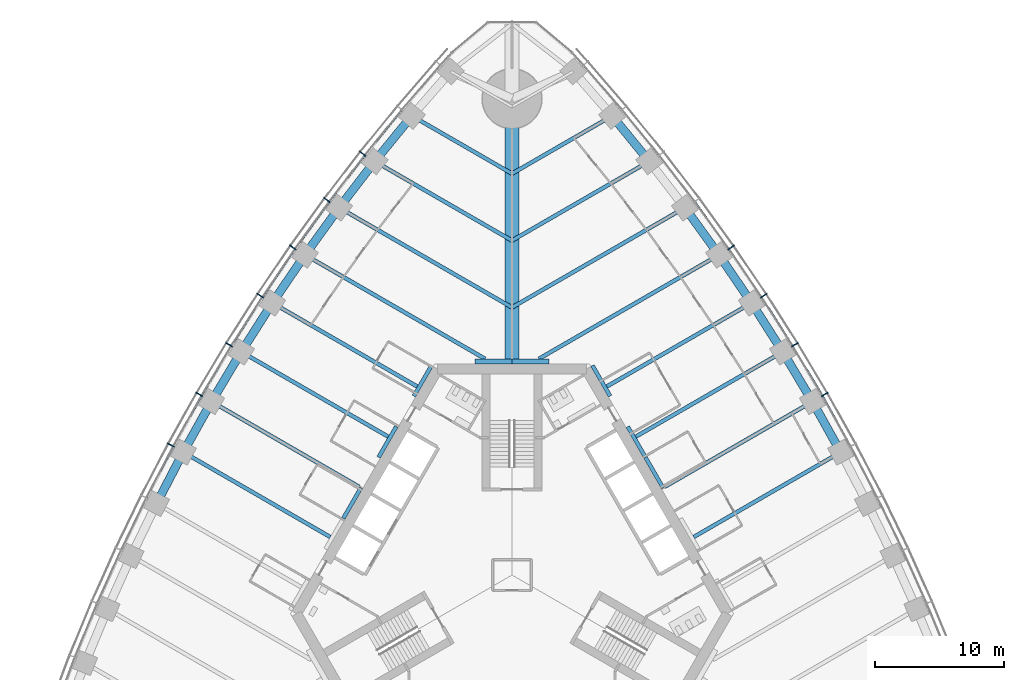
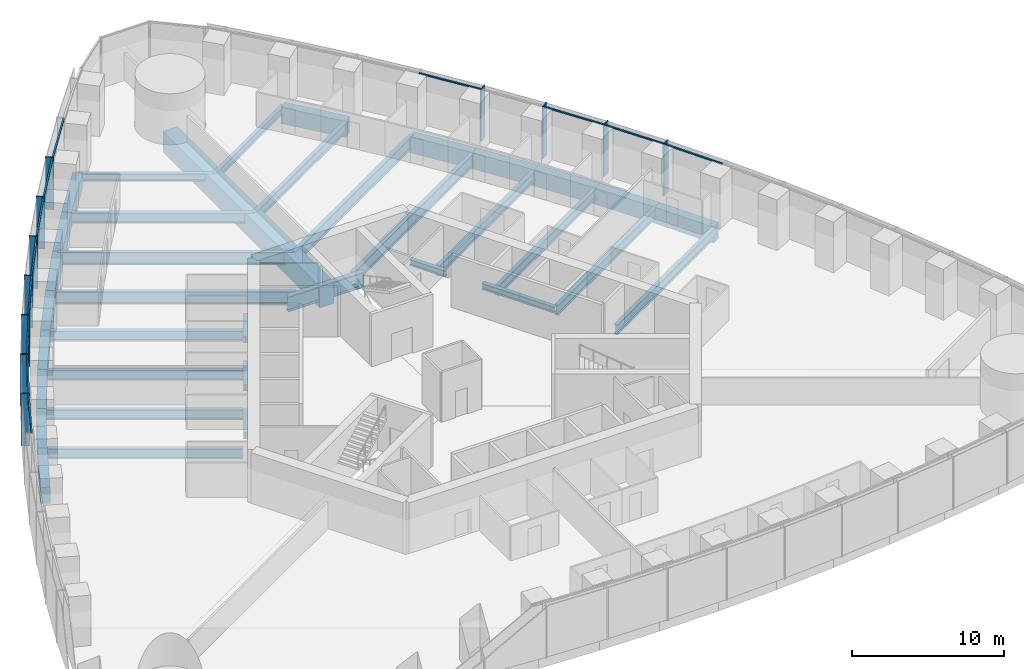
# One storey, part 4 of 18: 39 beams, 23 members, 2 elements without a shape of their own.
"""IFC4 building model written with IfcOpenShell, lengths in metres."""

from ifc_helpers import new_model, si_unit, direction, frame, origin, origin_2d, place, context, subcontext, project, spatial, rectangle, i_section, extrude, material, material_profile, profile_set, type_object, element, aggregate, save


model = new_model("IFC4")

# Units and contexts
model_context = context("Model", 3, precision=1e-05, world=origin(), true_north=direction((0.0, 1.0)))
body_context = subcontext(model_context, "Body", "Model", "MODEL_VIEW")
ifc_project = project(units=[si_unit("LENGTHUNIT", "METRE"), si_unit("AREAUNIT", "SQUARE_METRE"), si_unit("VOLUMEUNIT", "CUBIC_METRE"), si_unit("PLANEANGLEUNIT", "RADIAN"), si_unit("MASSUNIT", "GRAM", prefix="KILO")], contexts=[model_context])

# Site, building, storey
site_placement = place(None, origin())
site = spatial("IfcSite", under=ifc_project, at=site_placement, CompositionType="ELEMENT")
building_placement = place(site_placement, origin())
building = spatial("IfcBuilding", under=site, at=building_placement, Name="Trefoil Bronze Tower", CompositionType="ELEMENT")
storey_placement = place(building_placement, frame((0.0, 0.0, 37.5)))
storey = spatial("IfcBuildingStorey", under=building, at=storey_placement, Name="L08", CompositionType="ELEMENT", Elevation=37.5)

# Curtain wall, members
ifc_material_1 = material(Name="Tinted solar-control glass", Category="glass")
curtain_wall_type = type_object("IfcCurtainWallType", Name="Bronze office curtain wall", PredefinedType="USERDEFINED", material=ifc_material_1)
curtain_wall_1_placement = place(storey_placement, origin())
curtain_wall_1 = element("IfcCurtainWall", 1, at=curtain_wall_1_placement, inside=storey, type_object=curtain_wall_type, Name="CW-A L08 F2", ObjectType="CURTAIN WALL", PredefinedType="USERDEFINED")
ifc_material_2 = material(Name="Bronze-finish aluminium", Category="aluminium")
ifc_material_profile_1 = material_profile(ifc_material_2, rectangle(XDim=0.60009765625, YDim=0.080078125, at=origin_2d()), Name="CW-A mullion")
ifc_profile_set_1 = profile_set([ifc_material_profile_1], Name="Bronze-finish aluminium")
member_type_1 = type_object("IfcMemberType", Name="Bronze office curtain wall mullion", PredefinedType="MULLION", material=ifc_profile_set_1)
member_1_placement = place(storey_placement, frame((24.291015625, 14.0244140625, 0.0), z_axis=(0.0, 0.0, 1.0), x_axis=(-0.866025403784, -0.5, 0.0)))
member_1 = element("IfcMember", 2, at=member_1_placement, type_object=member_type_1, Name="CW-A L08 F2 mullion 9", PredefinedType="MULLION", context=body_context, shape_type="SweptSolid", body=[
    extrude(rectangle(XDim=0.60009765625, YDim=0.080078125, at=origin_2d()), origin(), (0.0, 0.0, 1.0), 4.179931640625),
])
member_2_placement = place(storey_placement, frame((21.97998046875, 17.896240234375, 0.0), z_axis=(0.0, 0.0, 1.0), x_axis=(-0.851149783004, -0.524922896141, 0.0)))
member_2 = element("IfcMember", 3, at=member_2_placement, type_object=member_type_1, Name="CW-A L08 F2 mullion 10", PredefinedType="MULLION", context=body_context, shape_type="SweptSolid", body=[
    extrude(rectangle(XDim=0.60009765625, YDim=0.080078125, at=origin_2d()), origin(), (0.0, 0.0, 1.0), 4.179931640625),
])
member_3_placement = place(storey_placement, frame((19.555419921875, 21.70263671875, 0.0), z_axis=(0.0, 0.0, 1.0), x_axis=(-0.835543651684, -0.549424067665, 0.0)))
member_3 = element("IfcMember", 4, at=member_3_placement, type_object=member_type_1, Name="CW-A L08 F2 mullion 11", PredefinedType="MULLION", context=body_context, shape_type="SweptSolid", body=[
    extrude(rectangle(XDim=0.60009765625, YDim=0.080078125, at=origin_2d()), origin(), (0.0, 0.0, 1.0), 4.179931640625),
])
member_4_placement = place(storey_placement, frame((17.01708984375, 25.443359375, 0.0), z_axis=(0.0, 0.0, 1.0), x_axis=(-0.819204207116, -0.573501932903, 0.0)))
member_4 = element("IfcMember", 5, at=member_4_placement, type_object=member_type_1, Name="CW-A L08 F2 mullion 12", PredefinedType="MULLION", context=body_context, shape_type="SweptSolid", body=[
    extrude(rectangle(XDim=0.60009765625, YDim=0.080078125, at=origin_2d()), origin(), (0.0, 0.0, 1.0), 4.179931640625),
])

curtain_wall_2_placement = place(storey_placement, origin())
curtain_wall_2 = element("IfcCurtainWall", 6, at=curtain_wall_2_placement, inside=storey, type_object=curtain_wall_type, Name="CW-A L08 F3", ObjectType="CURTAIN WALL", PredefinedType="USERDEFINED")
member_5_placement = place(storey_placement, frame((-11.595458984375, 32.7255859375, 0.0), z_axis=(0.0, 0.0, 1.0), x_axis=(0.784304615744, -0.620375910011, 0.0)))
member_5 = element("IfcMember", 7, at=member_5_placement, type_object=member_type_1, Name="CW-A L08 F3 mullion 4", PredefinedType="MULLION", context=body_context, shape_type="SweptSolid", body=[
    extrude(rectangle(XDim=0.60009765625, YDim=0.080078125, at=origin_2d()), origin(), (0.0, 0.0, 1.0), 4.179931640625),
])
member_6_placement = place(storey_placement, frame((-14.364013671875, 29.117919921875, 0.0), z_axis=(0.0, 0.0, 1.0), x_axis=(0.802126748469, -0.59715381552, 0.0)))
member_6 = element("IfcMember", 8, at=member_6_placement, type_object=member_type_1, Name="CW-A L08 F3 mullion 5", PredefinedType="MULLION", context=body_context, shape_type="SweptSolid", body=[
    extrude(rectangle(XDim=0.60009765625, YDim=0.080078125, at=origin_2d()), origin(), (0.0, 0.0, 1.0), 4.179931640625),
])
member_7_placement = place(storey_placement, frame((-17.01708984375, 25.443359375, 0.0), z_axis=(0.0, 0.0, 1.0), x_axis=(0.819204207116, -0.573501932903, 0.0)))
member_7 = element("IfcMember", 9, at=member_7_placement, type_object=member_type_1, Name="CW-A L08 F3 mullion 6", PredefinedType="MULLION", context=body_context, shape_type="SweptSolid", body=[
    extrude(rectangle(XDim=0.60009765625, YDim=0.080078125, at=origin_2d()), origin(), (0.0, 0.0, 1.0), 4.179931640625),
])
member_8_placement = place(storey_placement, frame((-19.555419921875, 21.70263671875, 0.0), z_axis=(0.0, 0.0, 1.0), x_axis=(0.835543651684, -0.549424067665, 0.0)))
member_8 = element("IfcMember", 10, at=member_8_placement, type_object=member_type_1, Name="CW-A L08 F3 mullion 7", PredefinedType="MULLION", context=body_context, shape_type="SweptSolid", body=[
    extrude(rectangle(XDim=0.60009765625, YDim=0.080078125, at=origin_2d()), origin(), (0.0, 0.0, 1.0), 4.179931640625),
])
member_9_placement = place(storey_placement, frame((-21.97998046875, 17.896240234375, 0.0), z_axis=(0.0, 0.0, 1.0), x_axis=(0.851149783004, -0.524922896141, 0.0)))
member_9 = element("IfcMember", 11, at=member_9_placement, type_object=member_type_1, Name="CW-A L08 F3 mullion 8", PredefinedType="MULLION", context=body_context, shape_type="SweptSolid", body=[
    extrude(rectangle(XDim=0.60009765625, YDim=0.080078125, at=origin_2d()), origin(), (0.0, 0.0, 1.0), 4.179931640625),
])
member_10_placement = place(storey_placement, frame((-24.291015625, 14.0244140625, 0.0), z_axis=(0.0, 0.0, 1.0), x_axis=(0.866025403784, -0.5, 0.0)))
member_10 = element("IfcMember", 12, at=member_10_placement, type_object=member_type_1, Name="CW-A L08 F3 mullion 9", PredefinedType="MULLION", context=body_context, shape_type="SweptSolid", body=[
    extrude(rectangle(XDim=0.60009765625, YDim=0.080078125, at=origin_2d()), origin(), (0.0, 0.0, 1.0), 4.179931640625),
])
member_11_placement = place(storey_placement, frame((-26.488525390625, 10.0869140625, 0.0), z_axis=(0.0, 0.0, 1.0), x_axis=(0.880171454588, -0.474655886437, 0.0)))
member_11 = element("IfcMember", 13, at=member_11_placement, type_object=member_type_1, Name="CW-A L08 F3 mullion 10", PredefinedType="MULLION", context=body_context, shape_type="SweptSolid", body=[
    extrude(rectangle(XDim=0.60009765625, YDim=0.080078125, at=origin_2d()), origin(), (0.0, 0.0, 1.0), 4.179931640625),
])

# Member
ifc_material_3 = material(Name="Bronze-finish aluminium", Category="aluminium")
ifc_material_profile_2 = material_profile(ifc_material_3, rectangle(XDim=0.1201171875, YDim=0.10009765625, at=origin_2d()), Name="CW-A transom")
ifc_profile_set_2 = profile_set([ifc_material_profile_2], Name="Bronze-finish aluminium")
member_type_2 = type_object("IfcMemberType", Name="Bronze office curtain wall transom", PredefinedType="USERDEFINED", material=ifc_profile_set_2)
member_12_placement = place(storey_placement, frame((26.29248046875, 10.0283203125, 4.1298828125), z_axis=(-0.487400435348, 0.873178570295, 0.0), x_axis=(-0.873178570295, -0.487400435348, 0.0)))
member_12 = element("IfcMember", 14, at=member_12_placement, type_object=member_type_2, Name="CW-A L08 F2 transom 8", ObjectType="TRANSOM", PredefinedType="USERDEFINED", context=body_context, shape_type="SweptSolid", body=[
    extrude(rectangle(XDim=0.1201171875, YDim=0.10009765625, at=origin_2d()), origin(), (0.0, 0.0, 1.0), 4.42041015625),
])

member_13_placement = place(storey_placement, frame((24.096435546875, 13.9599609375, 4.1298828125), z_axis=(-0.512536988879, 0.858665147209, 0.0), x_axis=(-0.858665147209, -0.512536988879, 0.0)))
member_13 = element("IfcMember", 15, at=member_13_placement, type_object=member_type_2, Name="CW-A L08 F2 transom 9", ObjectType="TRANSOM", PredefinedType="USERDEFINED", context=body_context, shape_type="SweptSolid", body=[
    extrude(rectangle(XDim=0.1201171875, YDim=0.10009765625, at=origin_2d()), origin(), (0.0, 0.0, 1.0), 4.42041015625),
])

member_14_placement = place(storey_placement, frame((21.787353515625, 17.826171875, 4.1298828125), z_axis=(-0.537196807268, 0.843456928515, 0.0), x_axis=(-0.843456928515, -0.537196807268, 0.0)))
member_14 = element("IfcMember", 16, at=member_14_placement, type_object=member_type_2, Name="CW-A L08 F2 transom 10", ObjectType="TRANSOM", PredefinedType="USERDEFINED", context=body_context, shape_type="SweptSolid", body=[
    extrude(rectangle(XDim=0.1201171875, YDim=0.10009765625, at=origin_2d()), origin(), (0.0, 0.0, 1.0), 4.42431640625),
])

member_15_placement = place(storey_placement, frame((16.828857421875, 25.3623046875, 4.1298828125), z_axis=(-0.585378207433, 0.81076035563, 0.0), x_axis=(-0.81076035563, -0.585378207433, 0.0)))
member_15 = element("IfcMember", 17, at=member_15_placement, type_object=member_type_2, Name="CW-A L08 F2 transom 12", ObjectType="TRANSOM", PredefinedType="USERDEFINED", context=body_context, shape_type="SweptSolid", body=[
    extrude(rectangle(XDim=0.1201171875, YDim=0.10009765625, at=origin_2d()), origin(), (0.0, 0.0, 1.0), 4.443359375),
])

aggregate(curtain_wall_1, [member_1, member_2, member_3, member_4, member_12, member_13, member_14, member_15])

member_16_placement = place(storey_placement, frame((-8.582763671875, 36.10498046875, 4.1298828125), z_axis=(-0.631835540201, -0.775102477185, 0.0), x_axis=(0.775102477185, -0.631835540201, 0.0)))
member_16 = element("IfcMember", 18, at=member_16_placement, type_object=member_type_2, Name="CW-A L08 F3 transom 3", ObjectType="TRANSOM", PredefinedType="USERDEFINED", context=body_context, shape_type="SweptSolid", body=[
    extrude(rectangle(XDim=0.1201171875, YDim=0.10009765625, at=origin_2d()), origin(), (0.0, 0.0, 1.0), 4.478271484375),
])

member_17_placement = place(storey_placement, frame((-11.4638671875, 32.568603515625, 4.1298828125), z_axis=(-0.608829203216, -0.793301330713, 0.0), x_axis=(0.793301330713, -0.608829203216, 0.0)))
member_17 = element("IfcMember", 19, at=member_17_placement, type_object=member_type_2, Name="CW-A L08 F3 transom 4", ObjectType="TRANSOM", PredefinedType="USERDEFINED", context=body_context, shape_type="SweptSolid", body=[
    extrude(rectangle(XDim=0.1201171875, YDim=0.10009765625, at=origin_2d()), origin(), (0.0, 0.0, 1.0), 4.458740234375),
])

member_18_placement = place(storey_placement, frame((-14.227783203125, 28.96484375, 4.1298828125), z_axis=(-0.585378207433, -0.81076035563, 0.0), x_axis=(0.81076035563, -0.585378207433, 0.0)))
member_18 = element("IfcMember", 20, at=member_18_placement, type_object=member_type_2, Name="CW-A L08 F3 transom 5", ObjectType="TRANSOM", PredefinedType="USERDEFINED", context=body_context, shape_type="SweptSolid", body=[
    extrude(rectangle(XDim=0.1201171875, YDim=0.10009765625, at=origin_2d()), origin(), (0.0, 0.0, 1.0), 4.443359375),
])

member_19_placement = place(storey_placement, frame((-16.87646484375, 25.29443359375, 4.1298828125), z_axis=(-0.561508153923, -0.827471203775, 0.0), x_axis=(0.827471203775, -0.561508153923, 0.0)))
member_19 = element("IfcMember", 21, at=member_19_placement, type_object=member_type_2, Name="CW-A L08 F3 transom 6", ObjectType="TRANSOM", PredefinedType="USERDEFINED", context=body_context, shape_type="SweptSolid", body=[
    extrude(rectangle(XDim=0.1201171875, YDim=0.10009765625, at=origin_2d()), origin(), (0.0, 0.0, 1.0), 4.431884765625),
])

member_20_placement = place(storey_placement, frame((-19.41064453125, 21.557861328125, 4.1298828125), z_axis=(-0.537196807268, -0.843456928515, 0.0), x_axis=(0.843456928515, -0.537196807268, 0.0)))
member_20 = element("IfcMember", 22, at=member_20_placement, type_object=member_type_2, Name="CW-A L08 F3 transom 7", ObjectType="TRANSOM", PredefinedType="USERDEFINED", context=body_context, shape_type="SweptSolid", body=[
    extrude(rectangle(XDim=0.1201171875, YDim=0.10009765625, at=origin_2d()), origin(), (0.0, 0.0, 1.0), 4.42431640625),
])

member_21_placement = place(storey_placement, frame((-21.830810546875, 17.755615234375, 4.1298828125), z_axis=(-0.512536988879, -0.858665147209, 0.0), x_axis=(0.858665147209, -0.512536988879, 0.0)))
member_21 = element("IfcMember", 23, at=member_21_placement, type_object=member_type_2, Name="CW-A L08 F3 transom 8", ObjectType="TRANSOM", PredefinedType="USERDEFINED", context=body_context, shape_type="SweptSolid", body=[
    extrude(rectangle(XDim=0.1201171875, YDim=0.10009765625, at=origin_2d()), origin(), (0.0, 0.0, 1.0), 4.42041015625),
])

member_22_placement = place(storey_placement, frame((-24.137939453125, 13.88818359375, 4.1298828125), z_axis=(-0.487400435348, -0.873178570295, 0.0), x_axis=(0.873178570295, -0.487400435348, 0.0)))
member_22 = element("IfcMember", 24, at=member_22_placement, type_object=member_type_2, Name="CW-A L08 F3 transom 9", ObjectType="TRANSOM", PredefinedType="USERDEFINED", context=body_context, shape_type="SweptSolid", body=[
    extrude(rectangle(XDim=0.1201171875, YDim=0.10009765625, at=origin_2d()), origin(), (0.0, 0.0, 1.0), 4.42041015625),
])

member_23_placement = place(storey_placement, frame((-26.331787109375, 9.955322265625, 4.1298828125), z_axis=(-0.461809621225, -0.886979071762, 0.0), x_axis=(0.886979071762, -0.461809621225, 0.0)))
member_23 = element("IfcMember", 25, at=member_23_placement, type_object=member_type_2, Name="CW-A L08 F3 transom 10", ObjectType="TRANSOM", PredefinedType="USERDEFINED", context=body_context, shape_type="SweptSolid", body=[
    extrude(rectangle(XDim=0.1201171875, YDim=0.10009765625, at=origin_2d()), origin(), (0.0, 0.0, 1.0), 4.42431640625),
])

aggregate(curtain_wall_2, [member_5, member_6, member_7, member_8, member_9, member_10, member_11, member_16, member_17, member_18, member_19, member_20, member_21, member_22, member_23])

# Beams
ifc_material_4 = material(Name="Steel C355", Category="steel")
ifc_material_profile_3 = material_profile(ifc_material_4, i_section(OverallWidth=0.300048828125, OverallDepth=0.5, WebThickness=0.014404296875, FlangeThickness=0.028076171875, FilletRadius=0.027099609375, at=origin_2d()), Name="HEB 500")
ifc_profile_set_3 = profile_set([ifc_material_profile_3], Name="Steel C355")
beam_type_1 = type_object("IfcBeamType", Name="Core seat beam HEB 500", PredefinedType="BEAM", material=ifc_profile_set_3)
for number, where, z_axis, x_axis, name in (
    (26, (11.734619140625, 6.77490234375, -0.449951171875), (-0.499969057507, 0.866043267704, 0.0), (-0.866043267704, -0.499969057507, 0.0), "Core seat beam F2/+0 L08"),
    (27, (10.363525390625, 9.14990234375, -0.449951171875), (-0.500035825175, 0.866004719122, 0.0), (-0.866004719122, -0.500035825175, 0.0), "Core seat beam F2/+1 L08"),
    (28, (7.62109375, 13.89990234375, -0.449951171875), (-0.500035825175, 0.866004719122, 0.0), (-0.866004719122, -0.500035825175, 0.0), "Core seat beam F2/+2 L08"),
    (29, (-6.249755859375, 16.27490234375, -0.449951171875), (-0.500035825175, -0.866004719122, 0.0), (0.866004719122, -0.500035825175, 0.0), "Core seat beam F3/-2 L08"),
    (30, (-8.9921875, 11.52490234375, -0.449951171875), (-0.500035825175, -0.866004719122, 0.0), (0.866004719122, -0.500035825175, 0.0), "Core seat beam F3/-1 L08"),
    (31, (-11.734619140625, 6.77490234375, -0.449951171875), (-0.500035825175, -0.866004719122, 0.0), (0.866004719122, -0.500035825175, 0.0), "Core seat beam F3/+0 L08"),
):
    element("IfcBeam", number, at=place(storey_placement, frame(where, z_axis=z_axis, x_axis=x_axis)), inside=storey, type_object=beam_type_1, Name=name, PredefinedType="BEAM", context=body_context, shape_type="SweptSolid", body=[
        extrude(i_section(OverallWidth=0.300048828125, OverallDepth=0.5, WebThickness=0.014404296875, FlangeThickness=0.028076171875, FilletRadius=0.027099609375, at=origin_2d()), origin(), (0.0, 0.0, 1.0), 2.742431640625),
    ])
ifc_material_5 = material(Name="Steel C355", Category="steel")
ifc_material_profile_4 = material_profile(ifc_material_5, i_section(OverallWidth=0.39990234375, OverallDepth=1.199951171875, WebThickness=0.02001953125, FlangeThickness=0.0400390625, FilletRadius=0.010009765625, at=origin_2d()), Name="WPG 1200")
ifc_profile_set_4 = profile_set([ifc_material_profile_4], Name="Steel C355")
beam_type_2 = type_object("IfcBeamType", Name="Core seat beam WPG 1200", PredefinedType="BEAM", material=ifc_profile_set_4)
for number, where, z_axis, x_axis, name in (
    (32, (2.88671875, 16.60009765625, -0.800048828125), (-1.0, 0.0, 0.0), (0.0, -1.0, 0.0), "Core seat beam F2/+3 L08"),
    (33, (0.0, 16.60009765625, -0.800048828125), (-1.0, 0.0, 0.0), (0.0, -1.0, 0.0), "Core seat beam F3/-3 L08"),
):
    element("IfcBeam", number, at=place(storey_placement, frame(where, z_axis=z_axis, x_axis=x_axis)), inside=storey, type_object=beam_type_2, Name=name, PredefinedType="BEAM", context=body_context, shape_type="SweptSolid", body=[
        extrude(i_section(OverallWidth=0.39990234375, OverallDepth=1.199951171875, WebThickness=0.02001953125, FlangeThickness=0.0400390625, FilletRadius=0.010009765625, at=origin_2d()), origin(), (0.0, 0.0, 1.0), 2.88671875),
    ])
ifc_material_6 = material(Name="Concrete B80", Category="concrete")
ifc_material_profile_5 = material_profile(ifc_material_6, rectangle(XDim=1.10009765625, YDim=1.699951171875, at=origin_2d()), Name="RC 1100x1700")
ifc_profile_set_5 = profile_set([ifc_material_profile_5], Name="Concrete B80")
beam_type_3 = type_object("IfcBeamType", Name="Corner girder RC 1100x1700", PredefinedType="BEAM", material=ifc_profile_set_5)
beam_1_placement = place(storey_placement, frame((0.0, 16.39990234375, -1.050048828125), z_axis=(0.0, 1.0, 0.0), x_axis=(-1.0, 0.0, 0.0)))
element("IfcBeam", 34, at=beam_1_placement, inside=storey, type_object=beam_type_3, Name="Corner girder K2 L08", PredefinedType="BEAM", context=body_context, shape_type="SweptSolid", body=[
    extrude(rectangle(XDim=1.10009765625, YDim=1.699951171875, at=origin_2d()), origin(), (0.0, 0.0, 1.0), 20.60009765625),
])
ifc_material_7 = material(Name="Steel C355", Category="steel")
ifc_material_profile_6 = material_profile(ifc_material_7, i_section(OverallWidth=0.300048828125, OverallDepth=0.590087890625, WebThickness=0.012939453125, FlangeThickness=0.02490234375, FilletRadius=0.027099609375, at=origin_2d()), Name="HEA 600")
ifc_profile_set_6 = profile_set([ifc_material_profile_6], Name="Steel C355")
beam_type_4 = type_object("IfcBeamType", Name="Floor beam HEA 600", PredefinedType="BEAM", material=ifc_profile_set_6)
for number, where, z_axis, x_axis, name in (
    (35, (7.7763671875, 35.666748046875, -0.4951171875), (-0.866022587327, -0.500004878216, 0.0), (0.500004878216, -0.866022587327, 0.0), "Floor beam F2/+6 L08"),
    (36, (-7.7763671875, 35.666748046875, -0.4951171875), (0.866022587327, -0.500004878216, 0.0), (0.500004878216, 0.866022587327, 0.0), "Floor beam F3/-6 L08"),
):
    element("IfcBeam", number, at=place(storey_placement, frame(where, z_axis=z_axis, x_axis=x_axis)), inside=storey, type_object=beam_type_4, Name=name, PredefinedType="BEAM", context=body_context, shape_type="SweptSolid", body=[
        extrude(i_section(OverallWidth=0.300048828125, OverallDepth=0.590087890625, WebThickness=0.012939453125, FlangeThickness=0.02490234375, FilletRadius=0.027099609375, at=origin_2d()), origin(), (0.0, 0.0, 1.0), 8.9794921875),
    ])
ifc_material_8 = material(Name="Steel C355", Category="steel")
ifc_material_profile_7 = material_profile(ifc_material_8, i_section(OverallWidth=0.300048828125, OverallDepth=1.0, WebThickness=0.01904296875, FlangeThickness=0.035888671875, FilletRadius=0.030029296875, at=origin_2d()), Name="HEB 1000")
ifc_profile_set_7 = profile_set([ifc_material_profile_7], Name="Steel C355")
beam_type_5 = type_object("IfcBeamType", Name="Floor beam HEB 1000", PredefinedType="BEAM", material=ifc_profile_set_7)
for number, where, z_axis, x_axis, name in (
    (37, (13.42578125, 28.5361328125, -0.699951171875), (-0.866022989816, -0.500004181093, 0.0), (0.500004181093, -0.866022989816, 0.0), "Floor beam F2/+4 L08"),
    (38, (-13.42578125, 28.5361328125, -0.699951171875), (0.866022989816, -0.500004181093, 0.0), (0.500004181093, 0.866022989816, 0.0), "Floor beam F3/-4 L08"),
):
    element("IfcBeam", number, at=place(storey_placement, frame(where, z_axis=z_axis, x_axis=x_axis)), inside=storey, type_object=beam_type_5, Name=name, PredefinedType="BEAM", context=body_context, shape_type="SweptSolid", body=[
        extrude(i_section(OverallWidth=0.300048828125, OverallDepth=1.0, WebThickness=0.01904296875, FlangeThickness=0.035888671875, FilletRadius=0.030029296875, at=origin_2d()), origin(), (0.0, 0.0, 1.0), 15.502685546875),
    ])
ifc_material_9 = material(Name="Steel C355", Category="steel")
ifc_material_profile_8 = material_profile(ifc_material_9, i_section(OverallWidth=0.300048828125, OverallDepth=0.800048828125, WebThickness=0.017578125, FlangeThickness=0.032958984375, FilletRadius=0.030029296875, at=origin_2d()), Name="HEB 800")
ifc_profile_set_8 = profile_set([ifc_material_profile_8], Name="Steel C355")
beam_type_6 = type_object("IfcBeamType", Name="Floor beam HEB 800", PredefinedType="BEAM", material=ifc_profile_set_8)
beam_2_placement = place(storey_placement, frame((25.531494140625, 9.54443359375, -0.60009765625), z_axis=(-0.866027071639, -0.499997111179, 0.0), x_axis=(0.499997111179, -0.866027071639, 0.0)))
element("IfcBeam", 39, at=beam_2_placement, inside=storey, type_object=beam_type_6, Name="Floor beam F2/-1 L08", PredefinedType="BEAM", context=body_context, shape_type="SweptSolid", body=[
    extrude(i_section(OverallWidth=0.300048828125, OverallDepth=0.800048828125, WebThickness=0.017578125, FlangeThickness=0.032958984375, FilletRadius=0.030029296875, at=origin_2d()), origin(), (0.0, 0.0, 1.0), 13.18310546875),
])
beam_3_placement = place(storey_placement, frame((23.33837890625, 13.474365234375, -0.60009765625), z_axis=(-0.866031233401, -0.499989902672, 0.0), x_axis=(0.499989902672, -0.866031233401, 0.0)))
element("IfcBeam", 40, at=beam_3_placement, inside=storey, type_object=beam_type_6, Name="Floor beam F2/+0 L08", PredefinedType="BEAM", context=body_context, shape_type="SweptSolid", body=[
    extrude(i_section(OverallWidth=0.300048828125, OverallDepth=0.800048828125, WebThickness=0.017578125, FlangeThickness=0.032958984375, FilletRadius=0.030029296875, at=origin_2d()), origin(), (0.0, 0.0, 1.0), 13.248779296875),
])
beam_4_placement = place(storey_placement, frame((21.031494140625, 17.338623046875, -0.60009765625), z_axis=(-0.866027071639, -0.499997111179, 0.0), x_axis=(0.499997111179, -0.866027071639, 0.0)))
element("IfcBeam", 41, at=beam_4_placement, inside=storey, type_object=beam_type_6, Name="Floor beam F2/+1 L08", PredefinedType="BEAM", context=body_context, shape_type="SweptSolid", body=[
    extrude(i_section(OverallWidth=0.300048828125, OverallDepth=0.800048828125, WebThickness=0.017578125, FlangeThickness=0.032958984375, FilletRadius=0.030029296875, at=origin_2d()), origin(), (0.0, 0.0, 1.0), 13.18310546875),
])
beam_5_placement = place(storey_placement, frame((18.61083984375, 21.13720703125, -0.60009765625), z_axis=(-0.866030615021, -0.499990973765, 0.0), x_axis=(0.499990973765, -0.866030615021, 0.0)))
element("IfcBeam", 42, at=beam_5_placement, inside=storey, type_object=beam_type_6, Name="Floor beam F2/+2 L08", PredefinedType="BEAM", context=body_context, shape_type="SweptSolid", body=[
    extrude(i_section(OverallWidth=0.300048828125, OverallDepth=0.800048828125, WebThickness=0.017578125, FlangeThickness=0.032958984375, FilletRadius=0.030029296875, at=origin_2d()), origin(), (0.0, 0.0, 1.0), 12.986083984375),
])
for number, where, z_axis, x_axis, name in (
    (43, (10.659912109375, 32.13525390625, -0.60009765625), (-0.866024070878, -0.500002308654, 0.0), (0.500002308654, -0.866024070878, 0.0), "Floor beam F2/+5 L08"),
    (44, (-10.659912109375, 32.13525390625, -0.60009765625), (0.866024070878, -0.500002308654, 0.0), (0.500002308654, 0.866024070878, 0.0), "Floor beam F3/-5 L08"),
):
    element("IfcBeam", number, at=place(storey_placement, frame(where, z_axis=z_axis, x_axis=x_axis)), inside=storey, type_object=beam_type_6, Name=name, PredefinedType="BEAM", context=body_context, shape_type="SweptSolid", body=[
        extrude(i_section(OverallWidth=0.300048828125, OverallDepth=0.800048828125, WebThickness=0.017578125, FlangeThickness=0.032958984375, FilletRadius=0.030029296875, at=origin_2d()), origin(), (0.0, 0.0, 1.0), 12.30908203125),
    ])
beam_6_placement = place(storey_placement, frame((-18.61083984375, 21.13720703125, -0.60009765625), z_axis=(0.866030615021, -0.499990973765, 0.0), x_axis=(0.499990973765, 0.866030615021, 0.0)))
element("IfcBeam", 45, at=beam_6_placement, inside=storey, type_object=beam_type_6, Name="Floor beam F3/-2 L08", PredefinedType="BEAM", context=body_context, shape_type="SweptSolid", body=[
    extrude(i_section(OverallWidth=0.300048828125, OverallDepth=0.800048828125, WebThickness=0.017578125, FlangeThickness=0.032958984375, FilletRadius=0.030029296875, at=origin_2d()), origin(), (0.0, 0.0, 1.0), 12.986083984375),
])
beam_7_placement = place(storey_placement, frame((-21.031494140625, 17.338623046875, -0.60009765625), z_axis=(0.866027071639, -0.499997111179, 0.0), x_axis=(0.499997111179, 0.866027071639, 0.0)))
element("IfcBeam", 46, at=beam_7_placement, inside=storey, type_object=beam_type_6, Name="Floor beam F3/-1 L08", PredefinedType="BEAM", context=body_context, shape_type="SweptSolid", body=[
    extrude(i_section(OverallWidth=0.300048828125, OverallDepth=0.800048828125, WebThickness=0.017578125, FlangeThickness=0.032958984375, FilletRadius=0.030029296875, at=origin_2d()), origin(), (0.0, 0.0, 1.0), 13.18310546875),
])
beam_8_placement = place(storey_placement, frame((-23.33837890625, 13.474365234375, -0.60009765625), z_axis=(0.866031233401, -0.499989902672, 0.0), x_axis=(0.499989902672, 0.866031233401, 0.0)))
element("IfcBeam", 47, at=beam_8_placement, inside=storey, type_object=beam_type_6, Name="Floor beam F3/+0 L08", PredefinedType="BEAM", context=body_context, shape_type="SweptSolid", body=[
    extrude(i_section(OverallWidth=0.300048828125, OverallDepth=0.800048828125, WebThickness=0.017578125, FlangeThickness=0.032958984375, FilletRadius=0.030029296875, at=origin_2d()), origin(), (0.0, 0.0, 1.0), 13.248779296875),
])
beam_9_placement = place(storey_placement, frame((-25.531494140625, 9.54443359375, -0.60009765625), z_axis=(0.866027071639, -0.499997111179, 0.0), x_axis=(0.499997111179, 0.866027071639, 0.0)))
element("IfcBeam", 48, at=beam_9_placement, inside=storey, type_object=beam_type_6, Name="Floor beam F3/+1 L08", PredefinedType="BEAM", context=body_context, shape_type="SweptSolid", body=[
    extrude(i_section(OverallWidth=0.300048828125, OverallDepth=0.800048828125, WebThickness=0.017578125, FlangeThickness=0.032958984375, FilletRadius=0.030029296875, at=origin_2d()), origin(), (0.0, 0.0, 1.0), 13.18310546875),
])
ifc_material_10 = material(Name="Steel C355", Category="steel")
ifc_material_profile_9 = material_profile(ifc_material_10, i_section(OverallWidth=0.302001953125, OverallDepth=1.008056640625, WebThickness=0.02099609375, FlangeThickness=0.0400390625, FilletRadius=0.030029296875, at=origin_2d()), Name="HEM 1000")
ifc_profile_set_9 = profile_set([ifc_material_profile_9], Name="Steel C355")
beam_type_7 = type_object("IfcBeamType", Name="Floor beam HEM 1000", PredefinedType="BEAM", material=ifc_profile_set_9)
for number, where, z_axis, x_axis, name in (
    (49, (16.075927734375, 24.869873046875, -0.7041015625), (-0.866028401131, -0.499994808408, 0.0), (0.499994808408, -0.866028401131, 0.0), "Floor beam F2/+3 L08"),
    (50, (-16.075927734375, 24.869873046875, -0.7041015625), (0.866028401131, -0.499994808408, 0.0), (0.499994808408, 0.866028401131, 0.0), "Floor beam F3/-3 L08"),
):
    element("IfcBeam", number, at=place(storey_placement, frame(where, z_axis=z_axis, x_axis=x_axis)), inside=storey, type_object=beam_type_7, Name=name, PredefinedType="BEAM", context=body_context, shape_type="SweptSolid", body=[
        extrude(i_section(OverallWidth=0.302001953125, OverallDepth=1.008056640625, WebThickness=0.02099609375, FlangeThickness=0.0400390625, FilletRadius=0.030029296875, at=origin_2d()), origin(), (0.0, 0.0, 1.0), 16.139892578125),
    ])
ifc_material_11 = material(Name="Concrete B80", Category="concrete")
ifc_material_profile_10 = material_profile(ifc_material_11, rectangle(XDim=0.64990234375, YDim=1.300048828125, at=origin_2d()), Name="RC 650x1300")
ifc_profile_set_10 = profile_set([ifc_material_profile_10], Name="Concrete B80")
beam_type_8 = type_object("IfcBeamType", Name="Spandrel beam RC 650x1300", PredefinedType="SPANDREL", material=ifc_profile_set_10)
for number, where, z_axis, x_axis, name in (
    (51, (25.531494140625, 9.54443359375, -0.85009765625), (-0.487309404804, 0.873229376504, 0.0), (-0.873229376504, -0.487309404804, 0.0), "Spandrel F2.8 L08"),
    (52, (23.33837890625, 13.474365234375, -0.85009765625), (-0.512587831591, 0.858634797166, 0.0), (-0.858634797166, -0.512587831591, 0.0), "Spandrel F2.9 L08"),
):
    element("IfcBeam", number, at=place(storey_placement, frame(where, z_axis=z_axis, x_axis=x_axis)), inside=storey, type_object=beam_type_8, Name=name, PredefinedType="SPANDREL", context=body_context, shape_type="SweptSolid", body=[
        extrude(rectangle(XDim=0.64990234375, YDim=1.300048828125, at=origin_2d()), origin(), (0.0, 0.0, 1.0), 4.50048828125),
    ])
beam_10_placement = place(storey_placement, frame((21.031494140625, 17.338623046875, -0.85009765625), z_axis=(-0.537408473305, 0.843322081307, 0.0), x_axis=(-0.843322081307, -0.537408473305, 0.0)))
element("IfcBeam", 53, at=beam_10_placement, inside=storey, type_object=beam_type_8, Name="Spandrel F2.10 L08", PredefinedType="SPANDREL", context=body_context, shape_type="SweptSolid", body=[
    extrude(rectangle(XDim=0.64990234375, YDim=1.300048828125, at=origin_2d()), origin(), (0.0, 0.0, 1.0), 4.50439453125),
])
beam_11_placement = place(storey_placement, frame((18.61083984375, 21.13720703125, -0.85009765625), z_axis=(-0.561809680291, 0.827266512758, 0.0), x_axis=(-0.827266512758, -0.561809680291, 0.0)))
element("IfcBeam", 54, at=beam_11_placement, inside=storey, type_object=beam_type_8, Name="Spandrel F2.11 L08", PredefinedType="SPANDREL", context=body_context, shape_type="SweptSolid", body=[
    extrude(rectangle(XDim=0.64990234375, YDim=1.300048828125, at=origin_2d()), origin(), (0.0, 0.0, 1.0), 4.511962890625),
])
beam_12_placement = place(storey_placement, frame((16.075927734375, 24.869873046875, -0.85009765625), z_axis=(-0.585823508301, 0.810438657223, 0.0), x_axis=(-0.810438657223, -0.585823508301, 0.0)))
element("IfcBeam", 55, at=beam_12_placement, inside=storey, type_object=beam_type_8, Name="Spandrel F2.12 L08", PredefinedType="SPANDREL", context=body_context, shape_type="SweptSolid", body=[
    extrude(rectangle(XDim=0.64990234375, YDim=1.300048828125, at=origin_2d()), origin(), (0.0, 0.0, 1.0), 4.523681640625),
])
for number, where, z_axis, x_axis, name in (
    (56, (10.659912109375, 32.13525390625, -0.85009765625), (-0.632467643363, 0.774586780225, 0.0), (-0.774586780225, -0.632467643363, 0.0), "Spandrel F2.14 L08"),
    (57, (-7.7763671875, 35.666748046875, -0.85009765625), (-0.632467643363, -0.774586780225, 0.0), (0.774586780225, -0.632467643363, 0.0), "Spandrel F3.3 L08"),
):
    element("IfcBeam", number, at=place(storey_placement, frame(where, z_axis=z_axis, x_axis=x_axis)), inside=storey, type_object=beam_type_8, Name=name, PredefinedType="SPANDREL", context=body_context, shape_type="SweptSolid", body=[
        extrude(rectangle(XDim=0.64990234375, YDim=1.300048828125, at=origin_2d()), origin(), (0.0, 0.0, 1.0), 4.55908203125),
    ])
beam_13_placement = place(storey_placement, frame((-10.659912109375, 32.13525390625, -0.85009765625), z_axis=(-0.609338992146, -0.792909826305, 0.0), x_axis=(0.792909826305, -0.609338992146, 0.0)))
element("IfcBeam", 58, at=beam_13_placement, inside=storey, type_object=beam_type_8, Name="Spandrel F3.4 L08", PredefinedType="SPANDREL", context=body_context, shape_type="SweptSolid", body=[
    extrude(rectangle(XDim=0.64990234375, YDim=1.300048828125, at=origin_2d()), origin(), (0.0, 0.0, 1.0), 4.5390625),
])
beam_14_placement = place(storey_placement, frame((-13.42578125, 28.5361328125, -0.85009765625), z_axis=(-0.585823508301, -0.810438657223, 0.0), x_axis=(0.810438657223, -0.585823508301, 0.0)))
element("IfcBeam", 59, at=beam_14_placement, inside=storey, type_object=beam_type_8, Name="Spandrel F3.5 L08", PredefinedType="SPANDREL", context=body_context, shape_type="SweptSolid", body=[
    extrude(rectangle(XDim=0.64990234375, YDim=1.300048828125, at=origin_2d()), origin(), (0.0, 0.0, 1.0), 4.523681640625),
])
beam_15_placement = place(storey_placement, frame((-16.075927734375, 24.869873046875, -0.85009765625), z_axis=(-0.561809680291, -0.827266512758, 0.0), x_axis=(0.827266512758, -0.561809680291, 0.0)))
element("IfcBeam", 60, at=beam_15_placement, inside=storey, type_object=beam_type_8, Name="Spandrel F3.6 L08", PredefinedType="SPANDREL", context=body_context, shape_type="SweptSolid", body=[
    extrude(rectangle(XDim=0.64990234375, YDim=1.300048828125, at=origin_2d()), origin(), (0.0, 0.0, 1.0), 4.511962890625),
])
beam_16_placement = place(storey_placement, frame((-18.61083984375, 21.13720703125, -0.85009765625), z_axis=(-0.537408473305, -0.843322081307, 0.0), x_axis=(0.843322081307, -0.537408473305, 0.0)))
element("IfcBeam", 61, at=beam_16_placement, inside=storey, type_object=beam_type_8, Name="Spandrel F3.7 L08", PredefinedType="SPANDREL", context=body_context, shape_type="SweptSolid", body=[
    extrude(rectangle(XDim=0.64990234375, YDim=1.300048828125, at=origin_2d()), origin(), (0.0, 0.0, 1.0), 4.50439453125),
])
for number, where, z_axis, x_axis, name in (
    (62, (-21.031494140625, 17.338623046875, -0.85009765625), (-0.512587831591, -0.858634797166, 0.0), (0.858634797166, -0.512587831591, 0.0), "Spandrel F3.8 L08"),
    (63, (-23.33837890625, 13.474365234375, -0.85009765625), (-0.487309404804, -0.873229376504, 0.0), (0.873229376504, -0.487309404804, 0.0), "Spandrel F3.9 L08"),
):
    element("IfcBeam", number, at=place(storey_placement, frame(where, z_axis=z_axis, x_axis=x_axis)), inside=storey, type_object=beam_type_8, Name=name, PredefinedType="SPANDREL", context=body_context, shape_type="SweptSolid", body=[
        extrude(rectangle(XDim=0.64990234375, YDim=1.300048828125, at=origin_2d()), origin(), (0.0, 0.0, 1.0), 4.50048828125),
    ])
beam_17_placement = place(storey_placement, frame((-25.531494140625, 9.54443359375, -0.85009765625), z_axis=(-0.461637716615, -0.887068553495, 0.0), x_axis=(0.887068553495, -0.461637716615, 0.0)))
element("IfcBeam", 64, at=beam_17_placement, inside=storey, type_object=beam_type_8, Name="Spandrel F3.10 L08", PredefinedType="SPANDREL", context=body_context, shape_type="SweptSolid", body=[
    extrude(rectangle(XDim=0.64990234375, YDim=1.300048828125, at=origin_2d()), origin(), (0.0, 0.0, 1.0), 4.50439453125),
])

save(model, "model.ifc")
